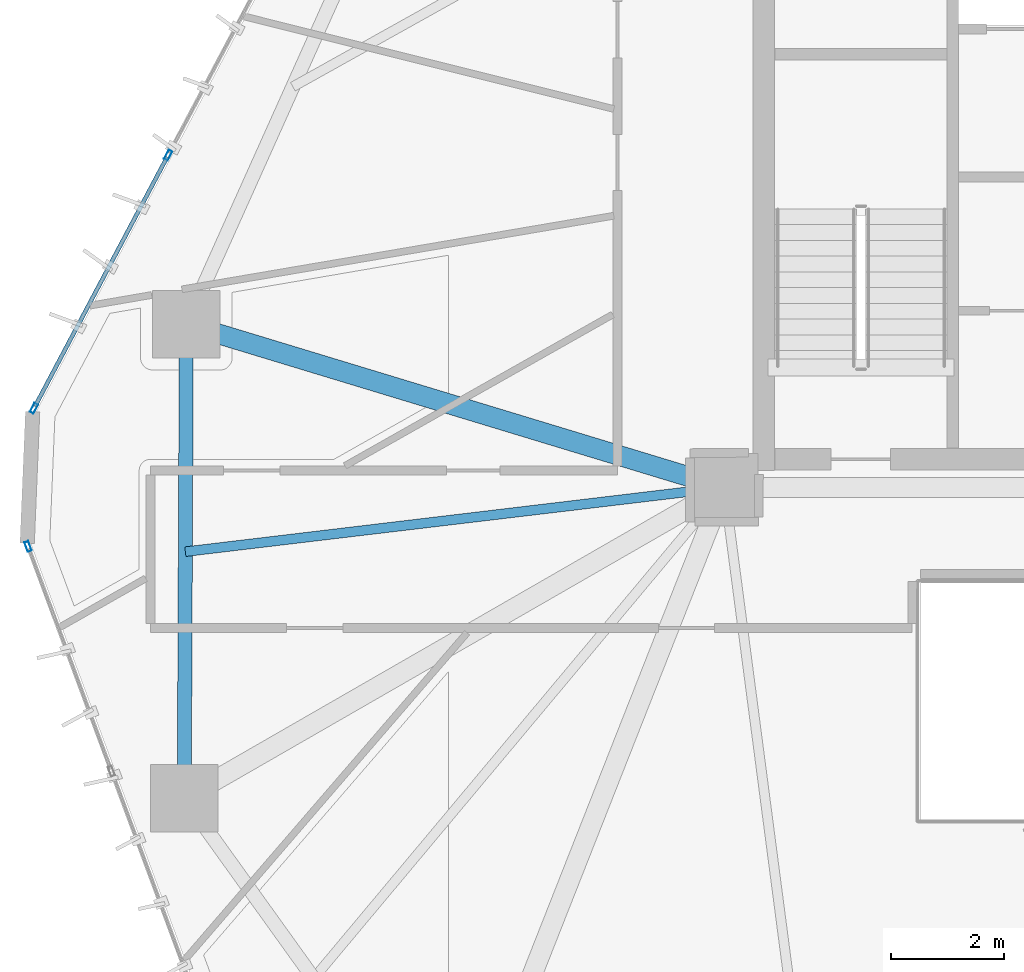
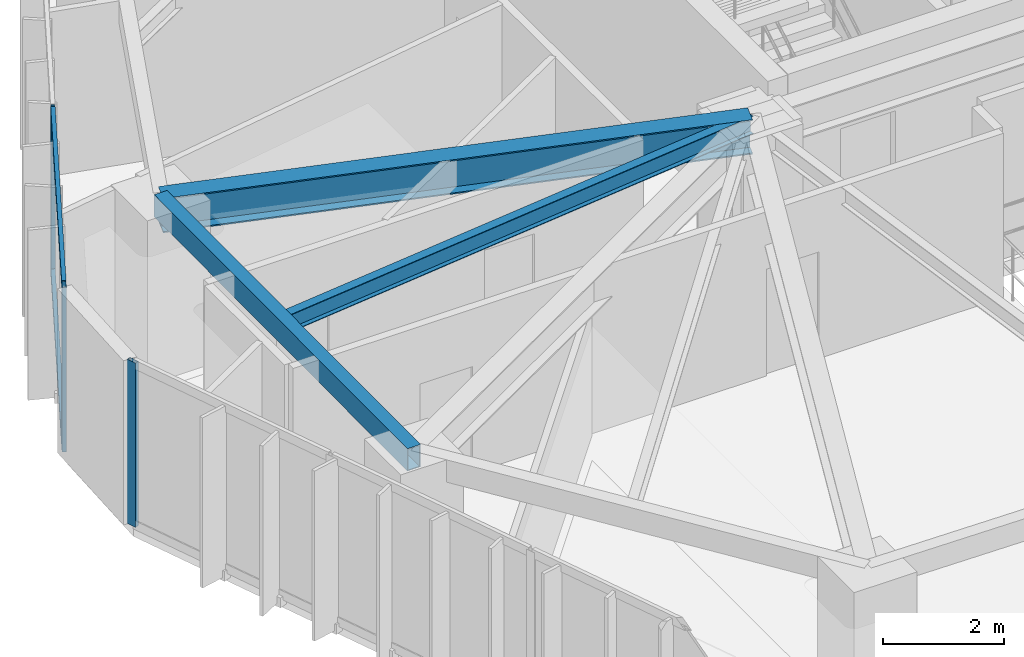
# One storey, part 7 of 21: 5 members, 3 beams, 2 elements without a shape of their own.
"""IFC4 building model written with IfcOpenShell, lengths in metres."""

from ifc_helpers import new_model, si_unit, direction, frame, origin, origin_2d, place, context, subcontext, project, spatial, hollow_rectangle, i_section, extrude, source, transform, mapped, material, layer, layer_set, material_profile, profile_set, type_object, type_shapes, element, aggregate, save


model = new_model("IFC4")

# Units and contexts
model_context = context("Model", 3, precision=1e-05, world=origin(), true_north=direction((0.0, 1.0)))
body_context = subcontext(model_context, "Body", "Model", "MODEL_VIEW")
ifc_project = project(units=[si_unit("LENGTHUNIT", "METRE"), si_unit("AREAUNIT", "SQUARE_METRE"), si_unit("VOLUMEUNIT", "CUBIC_METRE"), si_unit("PLANEANGLEUNIT", "RADIAN"), si_unit("MASSUNIT", "GRAM", prefix="KILO")], contexts=[model_context])

# Site, building, storey
site_placement = place(None, origin())
site = spatial("IfcSite", under=ifc_project, at=site_placement, CompositionType="ELEMENT")
building_placement = place(site_placement, origin())
building = spatial("IfcBuilding", under=site, at=building_placement, Name="Talar Marvaseh", CompositionType="ELEMENT")
storey_placement = place(building_placement, frame((0.0, 0.0, 143.39990234375)))
storey = spatial("IfcBuildingStorey", under=building, at=storey_placement, Name="L37", CompositionType="ELEMENT", Elevation=143.39990234375)

# Beams
ifc_material_1 = material(Name="Steel S355", Category="steel")
ifc_material_profile_1 = material_profile(ifc_material_1, hollow_rectangle(XDim=0.25, YDim=0.449951171875, WallThickness=0.01611328125, at=origin_2d()), Name="RHS450x250x16")
ifc_profile_set_1 = profile_set([ifc_material_profile_1], Name="Steel S355")
beam_type_1 = type_object("IfcBeamType", Name="Zone 2 Perimeter Spandrel Beam RHS450x250x16", PredefinedType="SPANDREL", material=ifc_profile_set_1)
beam_1_placement = place(storey_placement, frame((9.10107421875, 19.97705078125, 3.085205078125), z_axis=(0.004375628226, 0.999990426893, 0.0), x_axis=(-0.999990426893, 0.004375628226, 0.0)))
element("IfcBeam", 1, at=beam_1_placement, inside=storey, type_object=beam_type_1, Name="L37 Zone 2 Perimeter Spandrel Beam RHS450x250x16", PredefinedType="SPANDREL", context=body_context, shape_type="SweptSolid", body=[
    extrude(hollow_rectangle(XDim=0.25, YDim=0.449951171875, WallThickness=0.01611328125, at=origin_2d()), origin(), (0.0, 0.0, 1.0), 8.425048828125),
])
ifc_material_profile_2 = material_profile(ifc_material_1, i_section(OverallWidth=0.35498046875, OverallDepth=0.695068359375, WebThickness=0.015380859375, FlangeThickness=0.02490234375, at=origin_2d()), Name="W690x217")
ifc_profile_set_2 = profile_set([ifc_material_profile_2], Name="Steel S355")
beam_type_2 = type_object("IfcBeamType", Name="Zone 2 Radial Floor Girder W690x217", PredefinedType="BEAM", material=ifc_profile_set_2)
beam_2_placement = place(storey_placement, frame((9.137939453125, 28.402099609375, 2.962646484375), z_axis=(0.956898764921, -0.290421682546, 0.0), x_axis=(0.290421682546, 0.956898764921, 0.0)))
element("IfcBeam", 2, at=beam_2_placement, inside=storey, type_object=beam_type_2, Name="L37 Zone 2 Radial Floor Girder W690x217", PredefinedType="BEAM", context=body_context, shape_type="SweptSolid", body=[
    extrude(i_section(OverallWidth=0.35498046875, OverallDepth=0.695068359375, WebThickness=0.015380859375, FlangeThickness=0.02490234375, at=origin_2d()), origin(), (0.0, 0.0, 1.0), 9.99267578125),
])
ifc_material_profile_3 = material_profile(ifc_material_1, i_section(OverallWidth=0.172119140625, OverallDepth=0.35791015625, WebThickness=0.0078125, FlangeThickness=0.01318359375, at=origin_2d()), Name="W360x57")
ifc_profile_set_3 = profile_set([ifc_material_profile_3], Name="Steel S355")
beam_type_3 = type_object("IfcBeamType", Name="Zone 2 Secondary Floor Joist W360x57", PredefinedType="JOIST", material=ifc_profile_set_3)
beam_3_placement = place(storey_placement, frame((9.1201171875, 24.35791015625, 3.131103515625), z_axis=(0.992968386245, 0.118379829018, 0.0), x_axis=(-0.118379829018, 0.992968386245, 0.0)))
element("IfcBeam", 3, at=beam_3_placement, inside=storey, type_object=beam_type_3, Name="L37 Zone 2 Secondary Floor Joist W360x57", PredefinedType="JOIST", context=body_context, shape_type="SweptSolid", body=[
    extrude(i_section(OverallWidth=0.172119140625, OverallDepth=0.35791015625, WebThickness=0.0078125, FlangeThickness=0.01318359375, at=origin_2d()), origin(), (0.0, 0.0, 1.0), 9.647705078125),
])

# Curtain wall, member
ifc_material_2 = material(Name="Architectural Aluminium", Category="aluminium")
ifc_layer = layer(ifc_material_2, 0.199951171875)
ifc_layer_set = layer_set([ifc_layer], Name="Architectural Aluminium")
curtain_wall_type = type_object("IfcCurtainWallType", Name="Unitised Acoustic Library Curtain Wall Z2", PredefinedType="NOTDEFINED", material=ifc_layer_set)
curtain_wall_1_placement = place(storey_placement, origin())
curtain_wall_1 = element("IfcCurtainWall", 4, at=curtain_wall_1_placement, inside=storey, type_object=curtain_wall_type, Name="L37 Unitised Acoustic Library Curtain Wall Z2", PredefinedType="NOTDEFINED")
ifc_material_profile_4 = material_profile(ifc_material_2, hollow_rectangle(XDim=0.074951171875, YDim=0.179931640625, WallThickness=0.0048828125, at=origin_2d()), Name="RHS180x75x5")
ifc_profile_set_4 = profile_set([ifc_material_profile_4], Name="Architectural Aluminium")
member_type_1 = type_object("IfcMemberType", Name="Unitised Curtain Wall Standard Mullion RHS180x75x5", PredefinedType="MULLION", material=ifc_profile_set_4)
shared_shape_1 = source(origin(), body_context, "Body", "SweptSolid", [
    extrude(hollow_rectangle(XDim=0.074951171875, YDim=0.179931640625, WallThickness=0.0048828125, at=origin_2d()), origin(), (0.0, 0.0, 1.0), 3.31005859375),
])
type_shapes(member_type_1, [shared_shape_1])
member_1_placement = place(storey_placement, frame((6.3251953125, 24.450439453125, 0.0), z_axis=(0.0, 0.0, 1.0), x_axis=(-0.93761038822, -0.347687733321, 0.0)))
member_1 = element("IfcMember", 5, at=member_1_placement, type_object=member_type_1, Name="CW-Z2 mullion 5", PredefinedType="MULLION", context=body_context, shape_type="MappedRepresentation", body=[
    mapped(shared_shape_1, transform((0.0, 0.0, 0.0), x_axis=(1.0, 0.0, 0.0), y_axis=(0.0, 1.0, 0.0), z_axis=(0.0, 0.0, 1.0), scale=1.0)),
])
aggregate(curtain_wall_1, [member_1])

# Curtain wall, members
curtain_wall_2_placement = place(storey_placement, origin())
curtain_wall_2 = element("IfcCurtainWall", 6, at=curtain_wall_2_placement, inside=storey, type_object=curtain_wall_type, Name="L37 Unitised Acoustic Library Curtain Wall Z2", PredefinedType="NOTDEFINED")
member_2_placement = place(storey_placement, frame((6.429931640625, 26.906494140625, 0.0), z_axis=(0.0, 0.0, 1.0), x_axis=(-0.883504843636, 0.468422022616, 0.0)))
member_2 = element("IfcMember", 7, at=member_2_placement, type_object=member_type_1, Name="CW-Z2 mullion 1", PredefinedType="MULLION", context=body_context, shape_type="MappedRepresentation", body=[
    mapped(shared_shape_1, transform((0.0, 0.0, 0.0), x_axis=(1.0, 0.0, 0.0), y_axis=(0.0, 1.0, 0.0), z_axis=(0.0, 0.0, 1.0), scale=1.0)),
])
member_3_placement = place(storey_placement, frame((8.8154296875, 31.40576171875, 0.0), z_axis=(0.0, 0.0, 1.0), x_axis=(-0.883504843636, 0.468422022616, 0.0)))
member_3 = element("IfcMember", 8, at=member_3_placement, type_object=member_type_1, Name="CW-Z2 mullion 2", PredefinedType="MULLION", context=body_context, shape_type="MappedRepresentation", body=[
    mapped(shared_shape_1, transform((0.0, 0.0, 0.0), x_axis=(1.0, 0.0, 0.0), y_axis=(0.0, 1.0, 0.0), z_axis=(0.0, 0.0, 1.0), scale=1.0)),
])
ifc_material_profile_5 = material_profile(ifc_material_2, hollow_rectangle(XDim=0.074951171875, YDim=0.179931640625, WallThickness=0.0048828125, at=origin_2d()), Name="RHS180x75x5")
ifc_profile_set_5 = profile_set([ifc_material_profile_5], Name="Architectural Aluminium")
member_type_2 = type_object("IfcMemberType", Name="Unitised Curtain Wall Transom RHS180x75x5", PredefinedType="USERDEFINED", material=ifc_profile_set_5)
shared_shape_2 = source(origin(), body_context, "Body", "SweptSolid", [
    extrude(hollow_rectangle(XDim=0.074951171875, YDim=0.179931640625, WallThickness=0.0048828125, at=origin_2d()), origin(), (0.0, 0.0, 1.0), 5.017578125),
])
type_shapes(member_type_2, [shared_shape_2])
member_4_placement = place(storey_placement, frame((6.447509765625, 26.939697265625, 0.03759765625), z_axis=(0.468417467691, 0.883507258579, 0.0), x_axis=(-0.883507258579, 0.468417467691, 0.0)))
member_4 = element("IfcMember", 9, at=member_4_placement, type_object=member_type_2, Name="CW-Z2 transom 1.1", ObjectType="TRANSOM", PredefinedType="USERDEFINED", context=body_context, shape_type="MappedRepresentation", body=[
    mapped(shared_shape_2, transform((0.0, 0.0, 0.0), x_axis=(1.0, 0.0, 0.0), y_axis=(0.0, 1.0, 0.0), z_axis=(0.0, 0.0, 1.0), scale=1.0)),
])
member_5_placement = place(storey_placement, frame((6.447509765625, 26.939697265625, 3.272705078125), z_axis=(0.468417467691, 0.883507258579, 0.0), x_axis=(-0.883507258579, 0.468417467691, 0.0)))
member_5 = element("IfcMember", 10, at=member_5_placement, type_object=member_type_2, Name="CW-Z2 transom 1.2", ObjectType="TRANSOM", PredefinedType="USERDEFINED", context=body_context, shape_type="MappedRepresentation", body=[
    mapped(shared_shape_2, transform((0.0, 0.0, 0.0), x_axis=(1.0, 0.0, 0.0), y_axis=(0.0, 1.0, 0.0), z_axis=(0.0, 0.0, 1.0), scale=1.0)),
])
aggregate(curtain_wall_2, [member_2, member_3, member_4, member_5])

save(model, "model.ifc")
